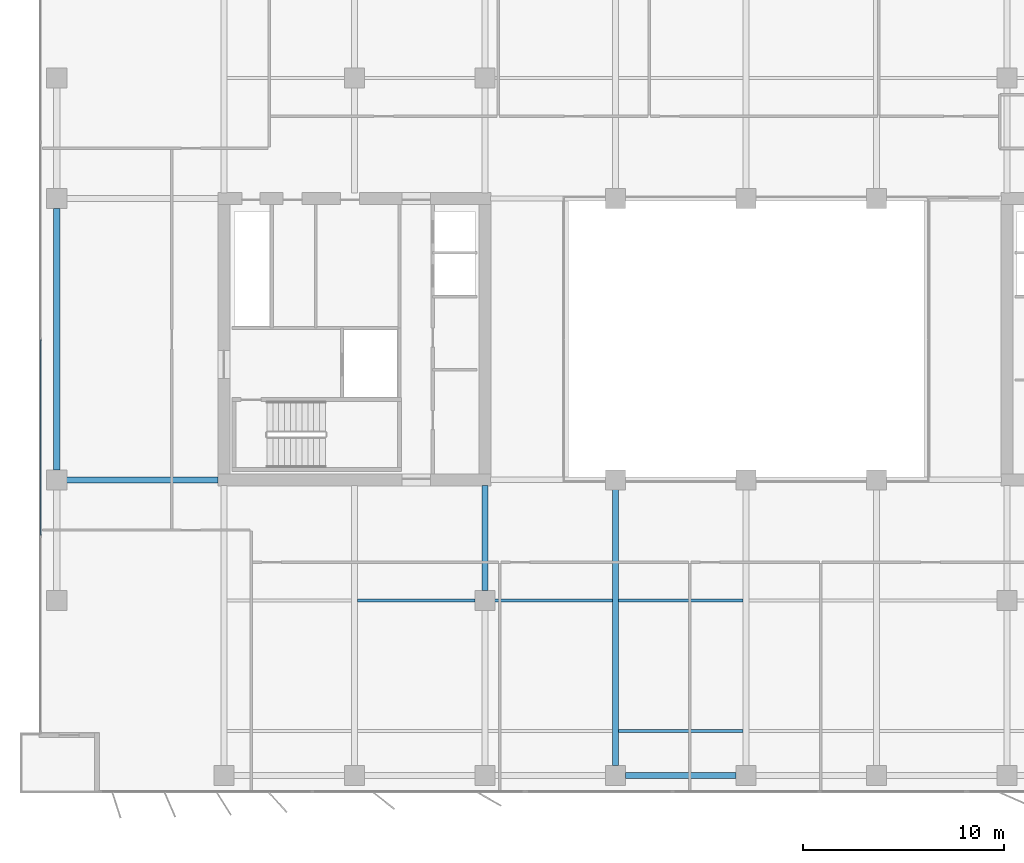
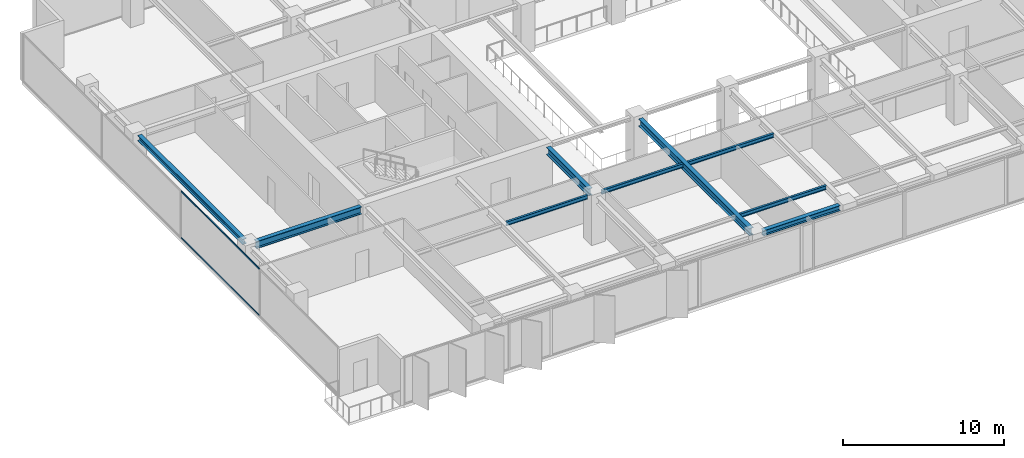
# One storey, part 3 of 22: 9 beams, 2 members, 1 element without a shape of its own.
"""IFC4 building model written with IfcOpenShell, lengths in metres."""

from ifc_helpers import new_model, si_unit, direction, frame, origin, origin_2d, place, context, subcontext, project, spatial, rectangle, i_section, extrude, material, layer, layer_set, material_profile, profile_set, type_object, element, aggregate, save


model = new_model("IFC4")

# Units and contexts
model_context = context("Model", 3, precision=1e-05, world=origin(), true_north=direction((0.0, 1.0)))
body_context = subcontext(model_context, "Body", "Model", "MODEL_VIEW")
ifc_project = project(units=[si_unit("LENGTHUNIT", "METRE"), si_unit("AREAUNIT", "SQUARE_METRE"), si_unit("VOLUMEUNIT", "CUBIC_METRE"), si_unit("PLANEANGLEUNIT", "RADIAN"), si_unit("MASSUNIT", "GRAM", prefix="KILO")], contexts=[model_context])

# Site, building, storey
site_placement = place(None, origin())
site = spatial("IfcSite", under=ifc_project, at=site_placement, CompositionType="ELEMENT")
building_placement = place(site_placement, origin())
building = spatial("IfcBuilding", under=site, at=building_placement, Name="Putna Gate Headquarters", CompositionType="ELEMENT")
storey_placement = place(building_placement, frame((0.0, 0.0, 170.800048828125)))
storey = spatial("IfcBuildingStorey", under=building, at=storey_placement, Name="L42", CompositionType="ELEMENT", Elevation=170.800048828125)

# Beams
ifc_material_1 = material(Name="Steel S355J2", Category="steel")
ifc_material_profile_1 = material_profile(ifc_material_1, i_section(OverallWidth=0.300048828125, OverallDepth=0.550048828125, WebThickness=0.014892578125, FlangeThickness=0.029052734375, at=origin_2d()), Name="Steel S355J2")
ifc_profile_set_1 = profile_set([ifc_material_profile_1], Name="Steel S355J2")
beam_type_1 = type_object("IfcBeamType", Name="BM-GIRD-Z3-HEB550", PredefinedType="USERDEFINED", material=ifc_profile_set_1)
beam_1_placement = place(storey_placement, frame((5.16796875, 19.0, 3.296875), z_axis=(1.0, 0.0, 0.0), x_axis=(0.0, 1.0, 0.0)))
element("IfcBeam", 1, at=beam_1_placement, inside=storey, type_object=beam_type_1, Name="L42 West Wing Girder Y19", ObjectType="GIRDER", PredefinedType="USERDEFINED", context=body_context, shape_type="SweptSolid", body=[
    extrude(i_section(OverallWidth=0.300048828125, OverallDepth=0.550048828125, WebThickness=0.014892578125, FlangeThickness=0.029052734375, at=origin_2d()), origin(), (0.0, 0.0, 1.0), 7.547119140625),
])
beam_2_placement = place(storey_placement, frame((26.0, 13.488037109375, 3.296875), z_axis=(0.0, 1.0, 0.0), x_axis=(-1.0, 0.0, 0.0)))
element("IfcBeam", 2, at=beam_2_placement, inside=storey, type_object=beam_type_1, Name="L42 South Primary Girder X26-2", ObjectType="GIRDER", PredefinedType="USERDEFINED", context=body_context, shape_type="SweptSolid", body=[
    extrude(i_section(OverallWidth=0.300048828125, OverallDepth=0.550048828125, WebThickness=0.014892578125, FlangeThickness=0.029052734375, at=origin_2d()), origin(), (0.0, 0.0, 1.0), 5.22705078125),
])
beam_3_placement = place(storey_placement, frame((32.5, 4.76806640625, 3.296875), z_axis=(0.0, 1.0, 0.0), x_axis=(-1.0, 0.0, 0.0)))
element("IfcBeam", 3, at=beam_3_placement, inside=storey, type_object=beam_type_1, Name="L42 South Primary Girder X32", ObjectType="GIRDER", PredefinedType="USERDEFINED", context=body_context, shape_type="SweptSolid", body=[
    extrude(i_section(OverallWidth=0.300048828125, OverallDepth=0.550048828125, WebThickness=0.014892578125, FlangeThickness=0.029052734375, at=origin_2d()), origin(), (0.0, 0.0, 1.0), 13.743896484375),
])
ifc_material_profile_2 = material_profile(ifc_material_1, i_section(OverallWidth=0.14990234375, OverallDepth=0.300048828125, WebThickness=0.007080078125, FlangeThickness=0.0107421875, at=origin_2d()), Name="Steel S355J2")
ifc_profile_set_2 = profile_set([ifc_material_profile_2], Name="Steel S355J2")
beam_type_2 = type_object("IfcBeamType", Name="BM-SEC-Z3-IPE300", PredefinedType="JOIST", material=ifc_profile_set_2)
for number, where, z_axis, x_axis, name in (
    (4, (19.654052734375, 13.0, 3.421875), (1.0, 0.0, 0.0), (0.0, 1.0, 0.0), "L42 South Secondary Beam 2"),
    (5, (26.488037109375, 13.0, 3.421875), (1.0, 0.0, 0.0), (0.0, 1.0, 0.0), "L42 South Secondary Beam 3"),
):
    element("IfcBeam", number, at=place(storey_placement, frame(where, z_axis=z_axis, x_axis=x_axis)), inside=storey, type_object=beam_type_2, Name=name, PredefinedType="JOIST", context=body_context, shape_type="SweptSolid", body=[
        extrude(i_section(OverallWidth=0.14990234375, OverallDepth=0.300048828125, WebThickness=0.007080078125, FlangeThickness=0.0107421875, at=origin_2d()), origin(), (0.0, 0.0, 1.0), 5.85791015625),
    ])
for number, where, z_axis, x_axis, name in (
    (6, (32.654052734375, 6.5, 3.421875), (1.0, 0.0, 0.0), (0.0, 1.0, 0.0), "L42 South Secondary Beam 4"),
    (7, (32.654052734375, 13.0, 3.421875), (1.0, 0.0, 0.0), (0.0, 1.0, 0.0), "L42 South Secondary Beam 4"),
):
    element("IfcBeam", number, at=place(storey_placement, frame(where, z_axis=z_axis, x_axis=x_axis)), inside=storey, type_object=beam_type_2, Name=name, PredefinedType="JOIST", context=body_context, shape_type="SweptSolid", body=[
        extrude(i_section(OverallWidth=0.14990234375, OverallDepth=0.300048828125, WebThickness=0.007080078125, FlangeThickness=0.0107421875, at=origin_2d()), origin(), (0.0, 0.0, 1.0), 6.19189453125),
    ])
ifc_material_profile_3 = material_profile(ifc_material_1, i_section(OverallWidth=0.300048828125, OverallDepth=0.39990234375, WebThickness=0.013427734375, FlangeThickness=0.02392578125, at=origin_2d()), Name="Steel S355J2")
ifc_profile_set_3 = profile_set([ifc_material_profile_3], Name="Steel S355J2")
beam_type_3 = type_object("IfcBeamType", Name="BM-SPAN-Z3-HEB400", PredefinedType="SPANDREL", material=ifc_profile_set_3)
beam_4_placement = place(storey_placement, frame((32.988037109375, 4.280029296875, 3.3720703125), z_axis=(1.0, 0.0, 0.0), x_axis=(0.0, 1.0, 0.0)))
element("IfcBeam", 8, at=beam_4_placement, inside=storey, type_object=beam_type_3, Name="L42 S Perimeter Spandrel 4", PredefinedType="SPANDREL", context=body_context, shape_type="SweptSolid", body=[
    extrude(i_section(OverallWidth=0.300048828125, OverallDepth=0.39990234375, WebThickness=0.013427734375, FlangeThickness=0.02392578125, at=origin_2d()), origin(), (0.0, 0.0, 1.0), 5.52392578125),
])
beam_5_placement = place(storey_placement, frame((4.679931640625, 19.488037109375, 3.3720703125), z_axis=(0.0, 1.0, 0.0), x_axis=(-1.0, 0.0, 0.0)))
element("IfcBeam", 9, at=beam_5_placement, inside=storey, type_object=beam_type_3, Name="L42 W End Spandrel 2", PredefinedType="SPANDREL", context=body_context, shape_type="SweptSolid", body=[
    extrude(i_section(OverallWidth=0.300048828125, OverallDepth=0.39990234375, WebThickness=0.013427734375, FlangeThickness=0.02392578125, at=origin_2d()), origin(), (0.0, 0.0, 1.0), 13.02392578125),
])

# Curtain wall, members
ifc_material_2 = material(Name="Anodised bronze aluminium curtain wall", Category="aluminium")
ifc_layer = layer(ifc_material_2, 0.159912109375)
ifc_layer_set = layer_set([ifc_layer], Name="Anodised bronze aluminium curtain wall")
curtain_wall_type = type_object("IfcCurtainWallType", Name="CW-SYS-Z3", PredefinedType="USERDEFINED", material=ifc_layer_set)
curtain_wall_placement = place(storey_placement, origin())
curtain_wall = element("IfcCurtainWall", 10, at=curtain_wall_placement, inside=storey, type_object=curtain_wall_type, Name="L42 West Curtain Wall", ObjectType="STICK CURTAIN WALL", PredefinedType="USERDEFINED")
ifc_material_3 = material(Name="Anodised bronze aluminium EN AW-6060", Category="aluminium")
ifc_material_profile_4 = material_profile(ifc_material_3, rectangle(XDim=0.06005859375, YDim=0.10009765625, at=origin_2d()), Name="Anodised bronze aluminium EN AW-6060")
ifc_profile_set_4 = profile_set([ifc_material_profile_4], Name="Anodised bronze aluminium EN AW-6060")
member_type = type_object("IfcMemberType", Name="TRAN-CWT-3", PredefinedType="USERDEFINED", material=ifc_profile_set_4)
member_1_placement = place(storey_placement, frame((3.8798828125, 16.232421875, 0.030029296875), z_axis=(0.0, 1.0, 0.0), x_axis=(-1.0, 0.0, 0.0)))
member_1 = element("IfcMember", 11, at=member_1_placement, type_object=member_type, Name="CWS-3 transom 2.1", ObjectType="TRANSOM", PredefinedType="USERDEFINED", context=body_context, shape_type="SweptSolid", body=[
    extrude(rectangle(XDim=0.06005859375, YDim=0.10009765625, at=origin_2d()), origin(), (0.0, 0.0, 1.0), 9.735107421875),
])
member_2_placement = place(storey_placement, frame((3.8798828125, 16.232421875, 3.5419921875), z_axis=(0.0, 1.0, 0.0), x_axis=(-1.0, 0.0, 0.0)))
member_2 = element("IfcMember", 12, at=member_2_placement, type_object=member_type, Name="CWS-3 transom 2.2", ObjectType="TRANSOM", PredefinedType="USERDEFINED", context=body_context, shape_type="SweptSolid", body=[
    extrude(rectangle(XDim=0.06005859375, YDim=0.10009765625, at=origin_2d()), origin(), (0.0, 0.0, 1.0), 9.735107421875),
])
aggregate(curtain_wall, [member_1, member_2])

save(model, "model.ifc")
